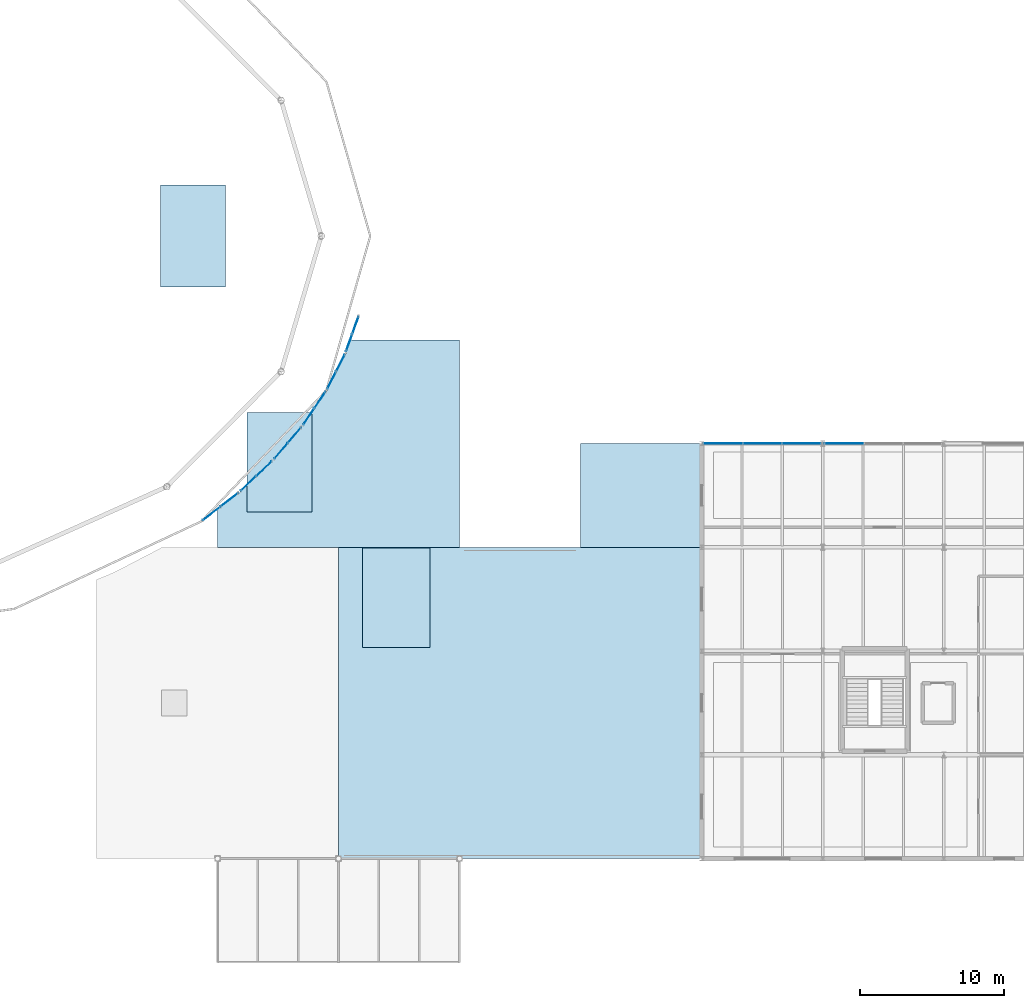
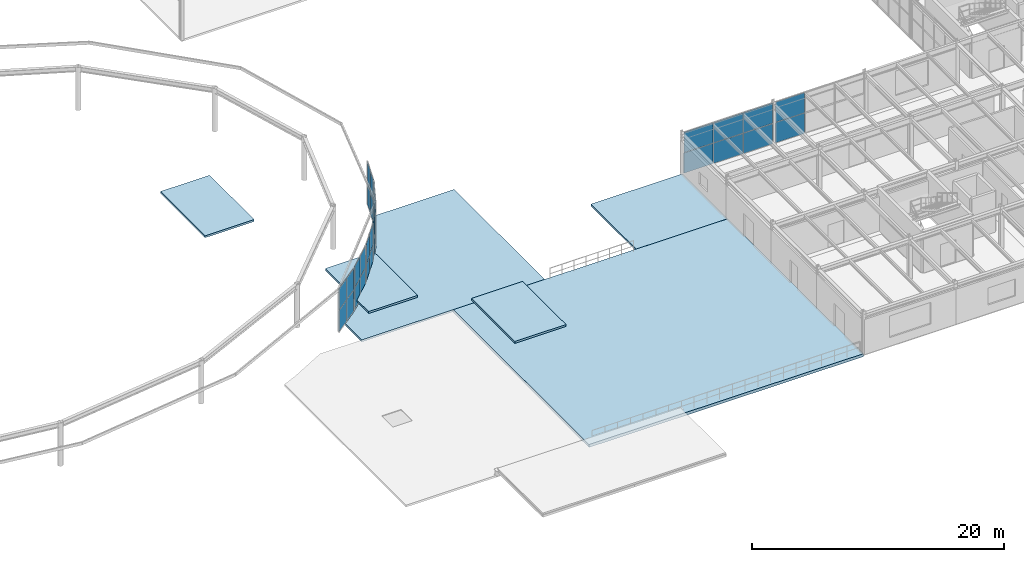
# One storey, part 52 of 73: 32 plates, 6 slabs, 8 elements without a shape of their own.
"""IFC4 building model written with IfcOpenShell, lengths in metres."""

from ifc_helpers import new_model, si_unit, derived_unit, direction, frame, origin, origin_2d, place, context, subcontext, project, spatial, polyline, rectangle, outline, extrude, material, layer, layer_set, type_object, element, aggregate, save


model = new_model("IFC4")

# Units and contexts
model_context = context("Model", 3, precision=1e-05, world=origin(), true_north=direction((0.0, 1.0)))
body_context = subcontext(model_context, "Body", "Model", "MODEL_VIEW")
ifc_project = project(units=[si_unit("LENGTHUNIT", "METRE"), si_unit("AREAUNIT", "SQUARE_METRE"), si_unit("VOLUMEUNIT", "CUBIC_METRE"), si_unit("PLANEANGLEUNIT", "RADIAN"), si_unit("MASSUNIT", "GRAM", prefix="KILO"), derived_unit("THERMALTRANSMITTANCEUNIT", [(si_unit("MASSUNIT", "GRAM", prefix="KILO"), 1), (si_unit("TIMEUNIT", "SECOND"), -3), (si_unit("THERMODYNAMICTEMPERATUREUNIT", "KELVIN"), -1)])], contexts=[model_context])

# Site, building, storey
site_placement = place(None, origin())
site = spatial("IfcSite", under=ifc_project, at=site_placement, CompositionType="ELEMENT")
building_placement = place(site_placement, origin())
building = spatial("IfcBuilding", under=site, at=building_placement, Name="Kharveza Railside Sports Centre", CompositionType="ELEMENT")
storey_placement = place(building_placement, frame((0.0, 0.0, 8.699951171875)))
storey = spatial("IfcBuildingStorey", under=building, at=storey_placement, Name="L02", CompositionType="ELEMENT", Elevation=8.699951171875)

# Curtain wall, plates
ifc_material_1 = material(Name="Low-E solar-control laminated glass", Category="glass")
curtain_wall_type_1 = type_object("IfcCurtainWallType", Name="CW-DR01", PredefinedType="NOTDEFINED", material=ifc_material_1)
curtain_wall_1_placement = place(storey_placement, origin())
curtain_wall_1 = element("IfcCurtainWall", 1, at=curtain_wall_1_placement, inside=storey, type_object=curtain_wall_type_1, Name="CW-DRUM-57", PredefinedType="NOTDEFINED")
ifc_layer_1 = layer(ifc_material_1, 0.035888671875, Name="Low-E solar-control laminated glass")
ifc_layer_set_1 = layer_set([ifc_layer_1], Name="Low-E solar-control laminated glass")
plate_type_1 = type_object("IfcPlateType", Name="PL-CP02", PredefinedType="CURTAIN_PANEL", material=ifc_layer_set_1)
plate_1_placement = place(storey_placement, frame((83.5908203125, 31.146728515625, 0.02001953125), z_axis=(0.0, 0.0, 1.0), x_axis=(0.791436947965, 0.61125081382, 0.0)))
plate_1 = element("IfcPlate", 2, at=plate_1_placement, type_object=plate_type_1, Name="CW-DRUM-57-PN11", PredefinedType="CURTAIN_PANEL", context=body_context, shape_type="SweptSolid", body=[
    extrude(rectangle(XDim=1.50537109375, YDim=0.035888671875, at=origin_2d()), origin(), (0.0, 0.0, 1.0), 2.06005859375),
])
plate_2_placement = place(storey_placement, frame((83.5908203125, 31.146728515625, 2.1201171875), z_axis=(0.0, 0.0, 1.0), x_axis=(0.791436947965, 0.61125081382, 0.0)))
plate_2 = element("IfcPlate", 3, at=plate_2_placement, type_object=plate_type_1, Name="CW-DRUM-57-PN12", PredefinedType="CURTAIN_PANEL", context=body_context, shape_type="SweptSolid", body=[
    extrude(rectangle(XDim=1.50537109375, YDim=0.035888671875, at=origin_2d()), origin(), (0.0, 0.0, 1.0), 2.06005859375),
])
plate_3_placement = place(storey_placement, frame((84.81396484375, 32.09130859375, 0.02001953125), z_axis=(0.0, 0.0, 1.0), x_axis=(0.791436947965, 0.61125081382, 0.0)))
plate_3 = element("IfcPlate", 4, at=plate_3_placement, type_object=plate_type_1, Name="CW-DRUM-57-PN21", PredefinedType="CURTAIN_PANEL", context=body_context, shape_type="SweptSolid", body=[
    extrude(rectangle(XDim=1.50537109375, YDim=0.035888671875, at=origin_2d()), origin(), (0.0, 0.0, 1.0), 2.06005859375),
])
plate_4_placement = place(storey_placement, frame((84.81396484375, 32.09130859375, 2.1201171875), z_axis=(0.0, 0.0, 1.0), x_axis=(0.791436947965, 0.61125081382, 0.0)))
plate_4 = element("IfcPlate", 5, at=plate_4_placement, type_object=plate_type_1, Name="CW-DRUM-57-PN22", PredefinedType="CURTAIN_PANEL", context=body_context, shape_type="SweptSolid", body=[
    extrude(rectangle(XDim=1.50537109375, YDim=0.035888671875, at=origin_2d()), origin(), (0.0, 0.0, 1.0), 2.06005859375),
])
aggregate(curtain_wall_1, [plate_1, plate_2, plate_3, plate_4])

curtain_wall_2_placement = place(storey_placement, origin())
curtain_wall_2 = element("IfcCurtainWall", 6, at=curtain_wall_2_placement, inside=storey, type_object=curtain_wall_type_1, Name="CW-DRUM-58", PredefinedType="NOTDEFINED")
plate_5_placement = place(storey_placement, frame((86.148681640625, 33.22998046875, 0.02001953125), z_axis=(0.0, 0.0, 1.0), x_axis=(0.727233892774, 0.686389732732, 0.0)))
plate_5 = element("IfcPlate", 7, at=plate_5_placement, type_object=plate_type_1, Name="CW-DRUM-58-PN11", PredefinedType="CURTAIN_PANEL", context=body_context, shape_type="SweptSolid", body=[
    extrude(rectangle(XDim=1.44775390625, YDim=0.035888671875, at=origin_2d()), origin(), (0.0, 0.0, 1.0), 2.06005859375),
])
plate_6_placement = place(storey_placement, frame((86.148681640625, 33.22998046875, 2.1201171875), z_axis=(0.0, 0.0, 1.0), x_axis=(0.727233892774, 0.686389732732, 0.0)))
plate_6 = element("IfcPlate", 8, at=plate_6_placement, type_object=plate_type_1, Name="CW-DRUM-58-PN12", PredefinedType="CURTAIN_PANEL", context=body_context, shape_type="SweptSolid", body=[
    extrude(rectangle(XDim=1.44775390625, YDim=0.035888671875, at=origin_2d()), origin(), (0.0, 0.0, 1.0), 2.06005859375),
])
plate_7_placement = place(storey_placement, frame((87.230712890625, 34.251220703125, 0.02001953125), z_axis=(0.0, 0.0, 1.0), x_axis=(0.727233892774, 0.686389732732, 0.0)))
plate_7 = element("IfcPlate", 9, at=plate_7_placement, type_object=plate_type_1, Name="CW-DRUM-58-PN21", PredefinedType="CURTAIN_PANEL", context=body_context, shape_type="SweptSolid", body=[
    extrude(rectangle(XDim=1.44775390625, YDim=0.035888671875, at=origin_2d()), origin(), (0.0, 0.0, 1.0), 2.06005859375),
])
plate_8_placement = place(storey_placement, frame((87.230712890625, 34.251220703125, 2.1201171875), z_axis=(0.0, 0.0, 1.0), x_axis=(0.727233892774, 0.686389732732, 0.0)))
plate_8 = element("IfcPlate", 10, at=plate_8_placement, type_object=plate_type_1, Name="CW-DRUM-58-PN22", PredefinedType="CURTAIN_PANEL", context=body_context, shape_type="SweptSolid", body=[
    extrude(rectangle(XDim=1.44775390625, YDim=0.035888671875, at=origin_2d()), origin(), (0.0, 0.0, 1.0), 2.06005859375),
])
aggregate(curtain_wall_2, [plate_5, plate_6, plate_7, plate_8])

curtain_wall_3_placement = place(storey_placement, origin())
curtain_wall_3 = element("IfcCurtainWall", 11, at=curtain_wall_3_placement, inside=storey, type_object=curtain_wall_type_1, Name="CW-DRUM-59", PredefinedType="NOTDEFINED")
plate_9_placement = place(storey_placement, frame((88.40234375, 35.478759765625, 0.02001953125), z_axis=(0.0, 0.0, 1.0), x_axis=(0.650403089613, 0.759589244935, 0.0)))
plate_9 = element("IfcPlate", 12, at=plate_9_placement, type_object=plate_type_1, Name="CW-DRUM-59-PN11", PredefinedType="CURTAIN_PANEL", context=body_context, shape_type="SweptSolid", body=[
    extrude(rectangle(XDim=1.391357421875, YDim=0.035888671875, at=origin_2d()), origin(), (0.0, 0.0, 1.0), 2.06005859375),
])
plate_10_placement = place(storey_placement, frame((88.40234375, 35.478759765625, 2.1201171875), z_axis=(0.0, 0.0, 1.0), x_axis=(0.650403089613, 0.759589244935, 0.0)))
plate_10 = element("IfcPlate", 13, at=plate_10_placement, type_object=plate_type_1, Name="CW-DRUM-59-PN12", PredefinedType="CURTAIN_PANEL", context=body_context, shape_type="SweptSolid", body=[
    extrude(rectangle(XDim=1.391357421875, YDim=0.035888671875, at=origin_2d()), origin(), (0.0, 0.0, 1.0), 2.06005859375),
])
plate_11_placement = place(storey_placement, frame((89.333251953125, 36.566162109375, 0.02001953125), z_axis=(0.0, 0.0, 1.0), x_axis=(0.650403089613, 0.759589244935, 0.0)))
plate_11 = element("IfcPlate", 14, at=plate_11_placement, type_object=plate_type_1, Name="CW-DRUM-59-PN21", PredefinedType="CURTAIN_PANEL", context=body_context, shape_type="SweptSolid", body=[
    extrude(rectangle(XDim=1.391357421875, YDim=0.035888671875, at=origin_2d()), origin(), (0.0, 0.0, 1.0), 2.06005859375),
])
plate_12_placement = place(storey_placement, frame((89.333251953125, 36.566162109375, 2.1201171875), z_axis=(0.0, 0.0, 1.0), x_axis=(0.650403089613, 0.759589244935, 0.0)))
plate_12 = element("IfcPlate", 15, at=plate_12_placement, type_object=plate_type_1, Name="CW-DRUM-59-PN22", PredefinedType="CURTAIN_PANEL", context=body_context, shape_type="SweptSolid", body=[
    extrude(rectangle(XDim=1.391357421875, YDim=0.035888671875, at=origin_2d()), origin(), (0.0, 0.0, 1.0), 2.06005859375),
])
aggregate(curtain_wall_3, [plate_9, plate_10, plate_11, plate_12])

curtain_wall_4_placement = place(storey_placement, origin())
curtain_wall_4 = element("IfcCurtainWall", 16, at=curtain_wall_4_placement, inside=storey, type_object=curtain_wall_type_1, Name="CW-DRUM-60", PredefinedType="NOTDEFINED")
plate_13_placement = place(storey_placement, frame((90.330078125, 37.87158203125, 0.02001953125), z_axis=(0.0, 0.0, 1.0), x_axis=(0.559843855522, 0.828598127825, 0.0)))
plate_13 = element("IfcPlate", 17, at=plate_13_placement, type_object=plate_type_1, Name="CW-DRUM-60-PN11", PredefinedType="CURTAIN_PANEL", context=body_context, shape_type="SweptSolid", body=[
    extrude(rectangle(XDim=1.3388671875, YDim=0.035888671875, at=origin_2d()), origin(), (0.0, 0.0, 1.0), 2.06005859375),
])
plate_14_placement = place(storey_placement, frame((90.330078125, 37.87158203125, 2.1201171875), z_axis=(0.0, 0.0, 1.0), x_axis=(0.559843855522, 0.828598127825, 0.0)))
plate_14 = element("IfcPlate", 18, at=plate_14_placement, type_object=plate_type_1, Name="CW-DRUM-60-PN12", PredefinedType="CURTAIN_PANEL", context=body_context, shape_type="SweptSolid", body=[
    extrude(rectangle(XDim=1.3388671875, YDim=0.035888671875, at=origin_2d()), origin(), (0.0, 0.0, 1.0), 2.06005859375),
])
plate_15_placement = place(storey_placement, frame((91.10205078125, 39.01416015625, 0.02001953125), z_axis=(0.0, 0.0, 1.0), x_axis=(0.559843855522, 0.828598127825, 0.0)))
plate_15 = element("IfcPlate", 19, at=plate_15_placement, type_object=plate_type_1, Name="CW-DRUM-60-PN21", PredefinedType="CURTAIN_PANEL", context=body_context, shape_type="SweptSolid", body=[
    extrude(rectangle(XDim=1.3388671875, YDim=0.035888671875, at=origin_2d()), origin(), (0.0, 0.0, 1.0), 2.06005859375),
])
plate_16_placement = place(storey_placement, frame((91.10205078125, 39.01416015625, 2.1201171875), z_axis=(0.0, 0.0, 1.0), x_axis=(0.559843855522, 0.828598127825, 0.0)))
plate_16 = element("IfcPlate", 20, at=plate_16_placement, type_object=plate_type_1, Name="CW-DRUM-60-PN22", PredefinedType="CURTAIN_PANEL", context=body_context, shape_type="SweptSolid", body=[
    extrude(rectangle(XDim=1.3388671875, YDim=0.035888671875, at=origin_2d()), origin(), (0.0, 0.0, 1.0), 2.06005859375),
])
aggregate(curtain_wall_4, [plate_13, plate_14, plate_15, plate_16])

curtain_wall_5_placement = place(storey_placement, origin())
curtain_wall_5 = element("IfcCurtainWall", 21, at=curtain_wall_5_placement, inside=storey, type_object=curtain_wall_type_1, Name="CW-DRUM-61", PredefinedType="NOTDEFINED")
plate_17_placement = place(storey_placement, frame((91.9130859375, 40.385009765625, 0.02001953125), z_axis=(0.0, 0.0, 1.0), x_axis=(0.455140894588, 0.890419432669, 0.0)))
plate_17 = element("IfcPlate", 22, at=plate_17_placement, type_object=plate_type_1, Name="CW-DRUM-61-PN11", PredefinedType="CURTAIN_PANEL", context=body_context, shape_type="SweptSolid", body=[
    extrude(rectangle(XDim=1.292724609375, YDim=0.035888671875, at=origin_2d()), origin(), (0.0, 0.0, 1.0), 2.06005859375),
])
plate_18_placement = place(storey_placement, frame((91.9130859375, 40.385009765625, 2.1201171875), z_axis=(0.0, 0.0, 1.0), x_axis=(0.455140894588, 0.890419432669, 0.0)))
plate_18 = element("IfcPlate", 23, at=plate_18_placement, type_object=plate_type_1, Name="CW-DRUM-61-PN12", PredefinedType="CURTAIN_PANEL", context=body_context, shape_type="SweptSolid", body=[
    extrude(rectangle(XDim=1.292724609375, YDim=0.035888671875, at=origin_2d()), origin(), (0.0, 0.0, 1.0), 2.06005859375),
])
plate_19_placement = place(storey_placement, frame((92.519775390625, 41.57177734375, 0.02001953125), z_axis=(0.0, 0.0, 1.0), x_axis=(0.455140894588, 0.890419432669, 0.0)))
plate_19 = element("IfcPlate", 24, at=plate_19_placement, type_object=plate_type_1, Name="CW-DRUM-61-PN21", PredefinedType="CURTAIN_PANEL", context=body_context, shape_type="SweptSolid", body=[
    extrude(rectangle(XDim=1.292724609375, YDim=0.035888671875, at=origin_2d()), origin(), (0.0, 0.0, 1.0), 2.06005859375),
])
plate_20_placement = place(storey_placement, frame((92.519775390625, 41.57177734375, 2.1201171875), z_axis=(0.0, 0.0, 1.0), x_axis=(0.455140894588, 0.890419432669, 0.0)))
plate_20 = element("IfcPlate", 25, at=plate_20_placement, type_object=plate_type_1, Name="CW-DRUM-61-PN22", PredefinedType="CURTAIN_PANEL", context=body_context, shape_type="SweptSolid", body=[
    extrude(rectangle(XDim=1.292724609375, YDim=0.035888671875, at=origin_2d()), origin(), (0.0, 0.0, 1.0), 2.06005859375),
])
aggregate(curtain_wall_5, [plate_17, plate_18, plate_19, plate_20])

curtain_wall_6_placement = place(storey_placement, origin())
curtain_wall_6 = element("IfcCurtainWall", 26, at=curtain_wall_6_placement, inside=storey, type_object=curtain_wall_type_1, Name="CW-DRUM-62", PredefinedType="NOTDEFINED")
plate_21_placement = place(storey_placement, frame((93.13623046875, 42.994873046875, 0.02001953125), z_axis=(0.0, 0.0, 1.0), x_axis=(0.336914502843, 0.941535245105, 0.0)))
plate_21 = element("IfcPlate", 27, at=plate_21_placement, type_object=plate_type_1, Name="CW-DRUM-62-PN11", PredefinedType="CURTAIN_PANEL", context=body_context, shape_type="SweptSolid", body=[
    extrude(rectangle(XDim=1.255615234375, YDim=0.035888671875, at=origin_2d()), origin(), (0.0, 0.0, 1.0), 2.06005859375),
])
plate_22_placement = place(storey_placement, frame((93.13623046875, 42.994873046875, 2.1201171875), z_axis=(0.0, 0.0, 1.0), x_axis=(0.336914502843, 0.941535245105, 0.0)))
plate_22 = element("IfcPlate", 28, at=plate_22_placement, type_object=plate_type_1, Name="CW-DRUM-62-PN12", PredefinedType="CURTAIN_PANEL", context=body_context, shape_type="SweptSolid", body=[
    extrude(rectangle(XDim=1.255615234375, YDim=0.035888671875, at=origin_2d()), origin(), (0.0, 0.0, 1.0), 2.06005859375),
])
plate_23_placement = place(storey_placement, frame((93.57275390625, 44.214599609375, 0.02001953125), z_axis=(0.0, 0.0, 1.0), x_axis=(0.336914502843, 0.941535245105, 0.0)))
plate_23 = element("IfcPlate", 29, at=plate_23_placement, type_object=plate_type_1, Name="CW-DRUM-62-PN21", PredefinedType="CURTAIN_PANEL", context=body_context, shape_type="SweptSolid", body=[
    extrude(rectangle(XDim=1.255615234375, YDim=0.035888671875, at=origin_2d()), origin(), (0.0, 0.0, 1.0), 2.06005859375),
])
plate_24_placement = place(storey_placement, frame((93.57275390625, 44.214599609375, 2.1201171875), z_axis=(0.0, 0.0, 1.0), x_axis=(0.336914502843, 0.941535245105, 0.0)))
plate_24 = element("IfcPlate", 30, at=plate_24_placement, type_object=plate_type_1, Name="CW-DRUM-62-PN22", PredefinedType="CURTAIN_PANEL", context=body_context, shape_type="SweptSolid", body=[
    extrude(rectangle(XDim=1.255615234375, YDim=0.035888671875, at=origin_2d()), origin(), (0.0, 0.0, 1.0), 2.06005859375),
])
aggregate(curtain_wall_6, [plate_21, plate_22, plate_23, plate_24])

# Curtain wall, plate
curtain_wall_type_2 = type_object("IfcCurtainWallType", Name="CW-WG01", PredefinedType="NOTDEFINED", material=ifc_material_1)
curtain_wall_7_placement = place(storey_placement, origin())
curtain_wall_7 = element("IfcCurtainWall", 31, at=curtain_wall_7_placement, inside=storey, type_object=curtain_wall_type_2, Name="CW-WG-L02-CW-WG01-X1302-Y360", PredefinedType="NOTDEFINED")
ifc_layer_2 = layer(ifc_material_1, 0.035888671875, Name="Low-E solar-control laminated glass")
ifc_layer_set_2 = layer_set([ifc_layer_2], Name="Low-E solar-control laminated glass")
plate_type_2 = type_object("IfcPlateType", Name="PL-CP08", PredefinedType="CURTAIN_PANEL", material=ifc_layer_set_2)
plate_25_placement = place(storey_placement, frame((127.47998046875, 36.0, 2.02001953125), z_axis=(0.0, 0.0, 1.0), x_axis=(-1.0, 0.0, 0.0)))
plate_25 = element("IfcPlate", 32, at=plate_25_placement, type_object=plate_type_2, Name="CW-WG-L02-CW-WG01-X1302-Y360-PN32", PredefinedType="CURTAIN_PANEL", context=body_context, shape_type="SweptSolid", body=[
    extrude(rectangle(XDim=2.679931640625, YDim=0.035888671875, at=origin_2d()), origin(), (0.0, 0.0, 1.0), 1.9599609375),
])

# Curtain wall, plates
curtain_wall_8_placement = place(storey_placement, origin())
curtain_wall_8 = element("IfcCurtainWall", 33, at=curtain_wall_8_placement, inside=storey, type_object=curtain_wall_type_2, Name="CW-WG-L02-CW-WG01-X1218-Y360", PredefinedType="NOTDEFINED")
plate_26_placement = place(storey_placement, frame((124.52001953125, 36.0, 2.02001953125), z_axis=(0.0, 0.0, 1.0), x_axis=(-1.0, 0.0, 0.0)))
plate_26 = element("IfcPlate", 34, at=plate_26_placement, type_object=plate_type_2, Name="CW-WG-L02-CW-WG01-X1218-Y360-PN12", PredefinedType="CURTAIN_PANEL", context=body_context, shape_type="SweptSolid", body=[
    extrude(rectangle(XDim=2.679931640625, YDim=0.035888671875, at=origin_2d()), origin(), (0.0, 0.0, 1.0), 1.9599609375),
])
plate_27_placement = place(storey_placement, frame((121.800048828125, 36.0, 2.02001953125), z_axis=(0.0, 0.0, 1.0), x_axis=(-1.0, 0.0, 0.0)))
plate_27 = element("IfcPlate", 35, at=plate_27_placement, type_object=plate_type_2, Name="CW-WG-L02-CW-WG01-X1218-Y360-PN22", PredefinedType="CURTAIN_PANEL", context=body_context, shape_type="SweptSolid", body=[
    extrude(rectangle(XDim=2.679931640625, YDim=0.035888671875, at=origin_2d()), origin(), (0.0, 0.0, 1.0), 1.9599609375),
])
plate_28_placement = place(storey_placement, frame((119.080078125, 36.0, 2.02001953125), z_axis=(0.0, 0.0, 1.0), x_axis=(-1.0, 0.0, 0.0)))
plate_28 = element("IfcPlate", 36, at=plate_28_placement, type_object=plate_type_2, Name="CW-WG-L02-CW-WG01-X1218-Y360-PN32", PredefinedType="CURTAIN_PANEL", context=body_context, shape_type="SweptSolid", body=[
    extrude(rectangle(XDim=2.679931640625, YDim=0.035888671875, at=origin_2d()), origin(), (0.0, 0.0, 1.0), 1.9599609375),
])

# Plate
ifc_material_2 = material(Name="Anodised aluminium 6063-T6", Category="aluminium")
ifc_layer_3 = layer(ifc_material_2, 0.044921875, Name="Anodised aluminium 6063-T6")
ifc_layer_set_3 = layer_set([ifc_layer_3], Name="Anodised aluminium 6063-T6")
plate_type_3 = type_object("IfcPlateType", Name="PL-CP09", PredefinedType="CURTAIN_PANEL", material=ifc_layer_set_3)
plate_29_placement = place(storey_placement, frame((127.47998046875, 36.0, 0.02001953125), z_axis=(0.0, 0.0, 1.0), x_axis=(-1.0, 0.0, 0.0)))
plate_29 = element("IfcPlate", 37, at=plate_29_placement, type_object=plate_type_3, Name="CW-WG-L02-CW-WG01-X1302-Y360-PN31", PredefinedType="CURTAIN_PANEL", context=body_context, shape_type="SweptSolid", body=[
    extrude(rectangle(XDim=2.679931640625, YDim=0.044921875, at=origin_2d()), origin(), (0.0, 0.0, 1.0), 1.9599609375),
])

aggregate(curtain_wall_7, [plate_29, plate_25])

plate_30_placement = place(storey_placement, frame((124.52001953125, 36.0, 0.02001953125), z_axis=(0.0, 0.0, 1.0), x_axis=(-1.0, 0.0, 0.0)))
plate_30 = element("IfcPlate", 38, at=plate_30_placement, type_object=plate_type_3, Name="CW-WG-L02-CW-WG01-X1218-Y360-PN11", PredefinedType="CURTAIN_PANEL", context=body_context, shape_type="SweptSolid", body=[
    extrude(rectangle(XDim=2.679931640625, YDim=0.044921875, at=origin_2d()), origin(), (0.0, 0.0, 1.0), 1.9599609375),
])

plate_31_placement = place(storey_placement, frame((121.800048828125, 36.0, 0.02001953125), z_axis=(0.0, 0.0, 1.0), x_axis=(-1.0, 0.0, 0.0)))
plate_31 = element("IfcPlate", 39, at=plate_31_placement, type_object=plate_type_3, Name="CW-WG-L02-CW-WG01-X1218-Y360-PN21", PredefinedType="CURTAIN_PANEL", context=body_context, shape_type="SweptSolid", body=[
    extrude(rectangle(XDim=2.679931640625, YDim=0.044921875, at=origin_2d()), origin(), (0.0, 0.0, 1.0), 1.9599609375),
])

plate_32_placement = place(storey_placement, frame((119.080078125, 36.0, 0.02001953125), z_axis=(0.0, 0.0, 1.0), x_axis=(-1.0, 0.0, 0.0)))
plate_32 = element("IfcPlate", 40, at=plate_32_placement, type_object=plate_type_3, Name="CW-WG-L02-CW-WG01-X1218-Y360-PN31", PredefinedType="CURTAIN_PANEL", context=body_context, shape_type="SweptSolid", body=[
    extrude(rectangle(XDim=2.679931640625, YDim=0.044921875, at=origin_2d()), origin(), (0.0, 0.0, 1.0), 1.9599609375),
])

aggregate(curtain_wall_8, [plate_30, plate_26, plate_31, plate_27, plate_32, plate_28])

# Slabs
ifc_material_3 = material(Name="Insulated standing-seam zinc-aluminium roof panel", Category="aluminium")
ifc_layer_4 = layer(ifc_material_3, 0.18994140625, Name="Insulated standing-seam zinc-aluminium roof panel")
ifc_layer_set_4 = layer_set([ifc_layer_4], Name="Insulated standing-seam zinc-aluminium roof panel")
slab_type_1 = type_object("IfcSlabType", Name="SL-RF190", PredefinedType="ROOF", material=ifc_layer_set_4)
slab_1_placement = place(storey_placement, frame((0.0, 0.0, -0.18994140625)))
element("IfcSlab", 41, at=slab_1_placement, inside=storey, type_object=slab_type_1, Name="SLB-RF-FOYERNECK-1", PredefinedType="ROOF", context=body_context, shape_type="SweptSolid", body=[
    extrude(outline(polyline([(100.800048828125, 43.199951171875), (100.800048828125, 28.800048828125), (84.0, 28.800048828125), (84.0, 31.399658203125), (85.551025390625, 32.597412109375), (85.5546875, 32.6005859375), (87.89306640625, 34.8076171875), (87.896728515625, 34.8115234375), (89.914794921875, 37.16845703125), (89.918212890625, 37.1728515625), (91.5966796875, 39.656982421875), (91.599609375, 39.662109375), (92.922119140625, 42.249267578125), (92.9248046875, 42.255126953125), (93.2626953125, 43.199951171875), (100.800048828125, 43.199951171875)])), origin(), (0.0, 0.0, 1.0), 0.18994140625),
])
slab_2_placement = place(storey_placement, frame((0.0, 0.0, -0.18994140625)))
element("IfcSlab", 42, at=slab_2_placement, inside=storey, type_object=slab_type_1, Name="SLB-RF-L02REM-01", PredefinedType="ROOF", context=body_context, shape_type="SweptSolid", body=[
    extrude(outline(polyline([(109.199951171875, 36.0), (117.60009765625, 36.0), (117.60009765625, 28.800048828125), (109.199951171875, 28.800048828125), (109.199951171875, 36.0)])), origin(), (0.0, 0.0, 1.0), 0.18994140625),
])
slab_3_placement = place(storey_placement, frame((0.0, 0.0, 0.360107421875)))
element("IfcSlab", 43, at=slab_3_placement, inside=storey, type_object=slab_type_1, Name="SLB-STCAP-ST8", PredefinedType="ROOF", context=body_context, shape_type="SweptSolid", body=[
    extrude(outline(polyline([(80.050048828125, 46.85009765625), (84.550048828125, 46.85009765625), (84.550048828125, 53.949951171875), (80.050048828125, 53.949951171875), (80.050048828125, 46.85009765625)])), origin(), (0.0, 0.0, 1.0), 0.18994140625),
])
slab_4_placement = place(storey_placement, frame((0.0, 0.0, 0.360107421875)))
element("IfcSlab", 44, at=slab_4_placement, inside=storey, type_object=slab_type_1, Name="SLB-STCAP-ST9", PredefinedType="ROOF", context=body_context, shape_type="SweptSolid", body=[
    extrude(outline(polyline([(86.050048828125, 31.25), (90.550048828125, 31.25), (90.550048828125, 38.14990234375), (86.050048828125, 38.14990234375), (86.050048828125, 31.25)])), origin(), (0.0, 0.0, 1.0), 0.18994140625),
])
slab_5_placement = place(storey_placement, frame((0.0, 0.0, 0.360107421875)))
element("IfcSlab", 45, at=slab_5_placement, inside=storey, type_object=slab_type_1, Name="SLB-STCAP-ST10", PredefinedType="ROOF", context=body_context, shape_type="SweptSolid", body=[
    extrude(outline(polyline([(94.050048828125, 21.85009765625), (98.75, 21.85009765625), (98.75, 28.75), (94.050048828125, 28.75), (94.050048828125, 21.85009765625)])), origin(), (0.0, 0.0, 1.0), 0.18994140625),
])
ifc_material_4 = material(Name="Concrete C35/45", Category="concrete")
ifc_layer_5 = layer(ifc_material_4, 0.280029296875, Name="Concrete C35/45")
ifc_layer_set_5 = layer_set([ifc_layer_5], Name="Concrete C35/45")
slab_type_2 = type_object("IfcSlabType", Name="SL-TR280", PredefinedType="FLOOR", material=ifc_layer_set_5)
slab_6_placement = place(storey_placement, frame((0.0, 0.0, -0.280029296875)))
element("IfcSlab", 46, at=slab_6_placement, inside=storey, type_object=slab_type_2, Name="Outdoor Terrace TERR-L02-FOYER", PredefinedType="FLOOR", context=body_context, shape_type="SweptSolid", body=[
    extrude(outline(polyline([(117.59912109375, 7.200927734375), (92.40087890625, 7.200927734375), (92.40087890625, 28.799072265625), (117.59912109375, 28.799072265625), (117.59912109375, 7.200927734375)])), origin(), (0.0, 0.0, 1.0), 0.280029296875),
])

save(model, "model.ifc")
